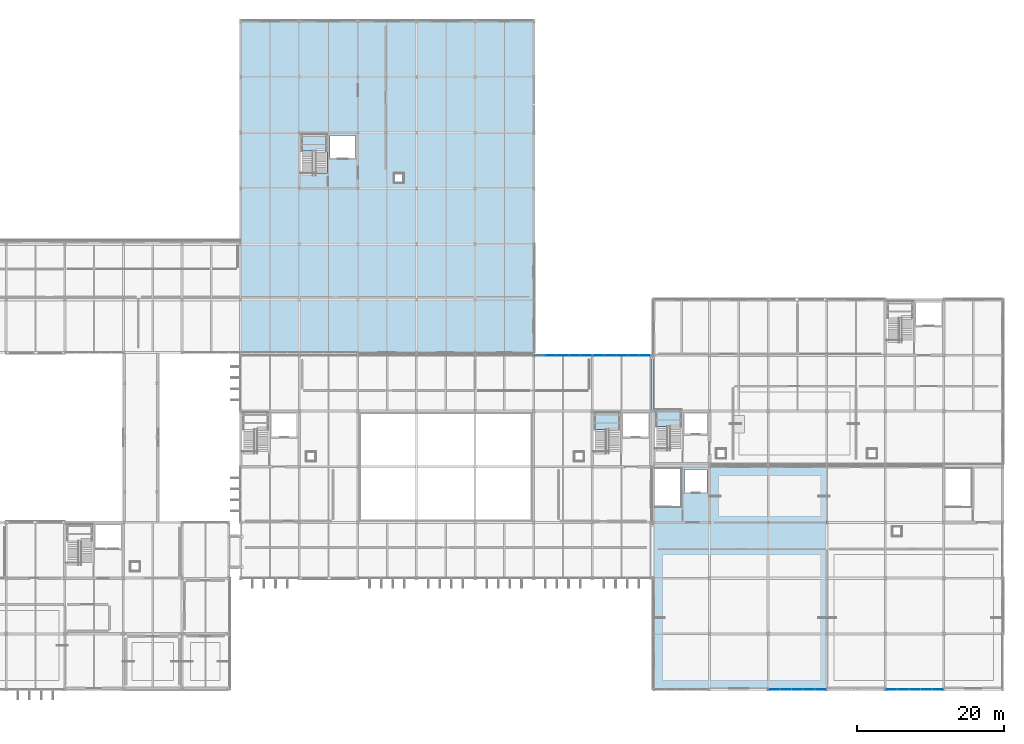
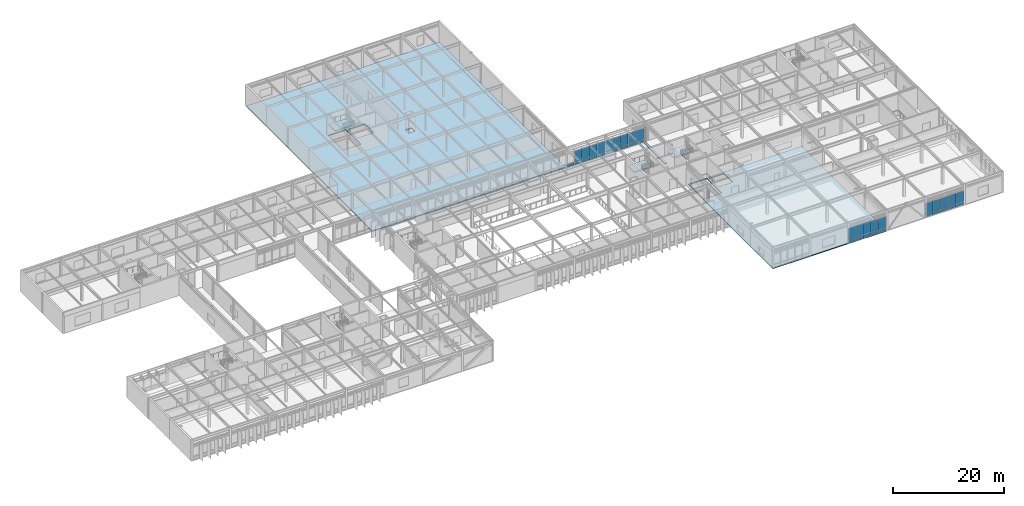
# One storey, part 73 of 104: 39 plates, 6 slabs, 7 elements without a shape of their own.
"""IFC4 building model written with IfcOpenShell, lengths in metres."""

from ifc_helpers import new_model, si_unit, direction, frame, origin, origin_2d, place, context, subcontext, project, spatial, polyline, rectangle, outline, extrude, material, layer, layer_set, type_object, element, aggregate, save


model = new_model("IFC4")

# Units and contexts
model_context = context("Model", 3, precision=1e-05, world=origin(), true_north=direction((0.0, 1.0)))
body_context = subcontext(model_context, "Body", "Model", "MODEL_VIEW")
ifc_project = project(units=[si_unit("LENGTHUNIT", "METRE"), si_unit("AREAUNIT", "SQUARE_METRE"), si_unit("VOLUMEUNIT", "CUBIC_METRE"), si_unit("PLANEANGLEUNIT", "RADIAN"), si_unit("MASSUNIT", "GRAM", prefix="KILO")], contexts=[model_context])

# Site, building, storey
site_placement = place(None, origin())
site = spatial("IfcSite", under=ifc_project, at=site_placement, CompositionType="ELEMENT")
building_placement = place(site_placement, origin())
building = spatial("IfcBuilding", under=site, at=building_placement, Name="Zulena Civic Courthouse", CompositionType="ELEMENT")
storey_placement = place(building_placement, frame((0.0, 0.0, 15.60009765625)))
storey = spatial("IfcBuildingStorey", under=building, at=storey_placement, Name="L03", CompositionType="ELEMENT", Elevation=15.60009765625)

# Slab
ifc_material_1 = material(Name="Concrete C35/45", Category="concrete")
ifc_layer_1 = layer(ifc_material_1, 0.195068359375)
ifc_layer_set_1 = layer_set([ifc_layer_1], Name="Concrete C35/45")
slab_type_1 = type_object("IfcSlabType", Name="BridgeSlab_195", PredefinedType="FLOOR", material=ifc_layer_set_1)
slab_1_placement = place(storey_placement, frame((0.0, 0.0, -0.195068359375)))
element("IfcSlab", 1, at=slab_1_placement, inside=storey, type_object=slab_type_1, Name="slab:bridge:BR-43:L03", PredefinedType="FLOOR", context=body_context, shape_type="SweptSolid", body=[
    extrude(outline(polyline([(124.0, 38.0), (124.39990234375, 38.0), (124.39990234375, 45.39990234375), (124.0, 45.39990234375), (124.0, 38.0)])), origin(), (0.0, 0.0, 1.0), 0.195068359375),
])

# Curtain wall, plates
ifc_material_2 = material(Name="Double-silver low-E laminated solar-control glass", Category="glass")
curtain_wall_type = type_object("IfcCurtainWallType", Name="CW_7928x3690", PredefinedType="USERDEFINED", material=ifc_material_2)
curtain_wall_1_placement = place(storey_placement, origin())
curtain_wall_1 = element("IfcCurtainWall", 2, at=curtain_wall_1_placement, inside=storey, type_object=curtain_wall_type, Name="cw:V1:L03:3:1", ObjectType="UNITISED CURTAIN WALL", PredefinedType="USERDEFINED")
ifc_material_3 = material(Name="Ceramic-fritted insulated spandrel glass", Category="glass")
ifc_layer_2 = layer(ifc_material_3, 0.0458984375)
ifc_layer_set_2 = layer_set([ifc_layer_2], Name="Ceramic-fritted insulated spandrel glass")
plate_type_1 = type_object("IfcPlateType", Name="CWPanel_Spandrel_46", PredefinedType="CURTAIN_PANEL", material=ifc_layer_set_2)
plate_1_placement = place(storey_placement, frame((163.171142578125, 0.0, 0.06982421875), z_axis=(0.0, 0.0, 1.0), x_axis=(-1.0, 0.0, 0.0)))
plate_1 = element("IfcPlate", 3, at=plate_1_placement, type_object=plate_type_1, Name="cw:V1:L03:3:1:panS:0", PredefinedType="CURTAIN_PANEL", context=body_context, shape_type="SweptSolid", body=[
    extrude(rectangle(XDim=1.535888671875, YDim=0.0458984375, at=origin_2d()), origin(), (0.0, 0.0, 1.0), 0.669921875),
])
plate_2_placement = place(storey_placement, frame((161.585693359375, 0.0, 0.06982421875), z_axis=(0.0, 0.0, 1.0), x_axis=(-1.0, 0.0, 0.0)))
plate_2 = element("IfcPlate", 4, at=plate_2_placement, type_object=plate_type_1, Name="cw:V1:L03:3:1:panS:1", PredefinedType="CURTAIN_PANEL", context=body_context, shape_type="SweptSolid", body=[
    extrude(rectangle(XDim=1.535888671875, YDim=0.0458984375, at=origin_2d()), origin(), (0.0, 0.0, 1.0), 0.669921875),
])
plate_3_placement = place(storey_placement, frame((160.0, 0.0, 0.06982421875), z_axis=(0.0, 0.0, 1.0), x_axis=(-1.0, 0.0, 0.0)))
plate_3 = element("IfcPlate", 5, at=plate_3_placement, type_object=plate_type_1, Name="cw:V1:L03:3:1:panS:2", PredefinedType="CURTAIN_PANEL", context=body_context, shape_type="SweptSolid", body=[
    extrude(rectangle(XDim=1.535888671875, YDim=0.0458984375, at=origin_2d()), origin(), (0.0, 0.0, 1.0), 0.669921875),
])
plate_4_placement = place(storey_placement, frame((158.414306640625, 0.0, 0.06982421875), z_axis=(0.0, 0.0, 1.0), x_axis=(-1.0, 0.0, 0.0)))
plate_4 = element("IfcPlate", 6, at=plate_4_placement, type_object=plate_type_1, Name="cw:V1:L03:3:1:panS:3", PredefinedType="CURTAIN_PANEL", context=body_context, shape_type="SweptSolid", body=[
    extrude(rectangle(XDim=1.535888671875, YDim=0.0458984375, at=origin_2d()), origin(), (0.0, 0.0, 1.0), 0.669921875),
])
plate_5_placement = place(storey_placement, frame((156.828857421875, 0.0, 0.06982421875), z_axis=(0.0, 0.0, 1.0), x_axis=(-1.0, 0.0, 0.0)))
plate_5 = element("IfcPlate", 7, at=plate_5_placement, type_object=plate_type_1, Name="cw:V1:L03:3:1:panS:4", PredefinedType="CURTAIN_PANEL", context=body_context, shape_type="SweptSolid", body=[
    extrude(rectangle(XDim=1.535888671875, YDim=0.0458984375, at=origin_2d()), origin(), (0.0, 0.0, 1.0), 0.669921875),
])

curtain_wall_2_placement = place(storey_placement, origin())
curtain_wall_2 = element("IfcCurtainWall", 8, at=curtain_wall_2_placement, inside=storey, type_object=curtain_wall_type, Name="cw:V1:L03:3:3", ObjectType="UNITISED CURTAIN WALL", PredefinedType="USERDEFINED")
plate_6_placement = place(storey_placement, frame((147.171142578125, 0.0, 0.06982421875), z_axis=(0.0, 0.0, 1.0), x_axis=(-1.0, 0.0, 0.0)))
plate_6 = element("IfcPlate", 9, at=plate_6_placement, type_object=plate_type_1, Name="cw:V1:L03:3:3:panS:0", PredefinedType="CURTAIN_PANEL", context=body_context, shape_type="SweptSolid", body=[
    extrude(rectangle(XDim=1.535888671875, YDim=0.0458984375, at=origin_2d()), origin(), (0.0, 0.0, 1.0), 0.669921875),
])
plate_7_placement = place(storey_placement, frame((145.585693359375, 0.0, 0.06982421875), z_axis=(0.0, 0.0, 1.0), x_axis=(-1.0, 0.0, 0.0)))
plate_7 = element("IfcPlate", 10, at=plate_7_placement, type_object=plate_type_1, Name="cw:V1:L03:3:3:panS:1", PredefinedType="CURTAIN_PANEL", context=body_context, shape_type="SweptSolid", body=[
    extrude(rectangle(XDim=1.535888671875, YDim=0.0458984375, at=origin_2d()), origin(), (0.0, 0.0, 1.0), 0.669921875),
])
plate_8_placement = place(storey_placement, frame((144.0, 0.0, 0.06982421875), z_axis=(0.0, 0.0, 1.0), x_axis=(-1.0, 0.0, 0.0)))
plate_8 = element("IfcPlate", 11, at=plate_8_placement, type_object=plate_type_1, Name="cw:V1:L03:3:3:panS:2", PredefinedType="CURTAIN_PANEL", context=body_context, shape_type="SweptSolid", body=[
    extrude(rectangle(XDim=1.535888671875, YDim=0.0458984375, at=origin_2d()), origin(), (0.0, 0.0, 1.0), 0.669921875),
])
plate_9_placement = place(storey_placement, frame((142.414306640625, 0.0, 0.06982421875), z_axis=(0.0, 0.0, 1.0), x_axis=(-1.0, 0.0, 0.0)))
plate_9 = element("IfcPlate", 12, at=plate_9_placement, type_object=plate_type_1, Name="cw:V1:L03:3:3:panS:3", PredefinedType="CURTAIN_PANEL", context=body_context, shape_type="SweptSolid", body=[
    extrude(rectangle(XDim=1.535888671875, YDim=0.0458984375, at=origin_2d()), origin(), (0.0, 0.0, 1.0), 0.669921875),
])
plate_10_placement = place(storey_placement, frame((140.828857421875, 0.0, 0.06982421875), z_axis=(0.0, 0.0, 1.0), x_axis=(-1.0, 0.0, 0.0)))
plate_10 = element("IfcPlate", 13, at=plate_10_placement, type_object=plate_type_1, Name="cw:V1:L03:3:3:panS:4", PredefinedType="CURTAIN_PANEL", context=body_context, shape_type="SweptSolid", body=[
    extrude(rectangle(XDim=1.535888671875, YDim=0.0458984375, at=origin_2d()), origin(), (0.0, 0.0, 1.0), 0.669921875),
])

curtain_wall_3_placement = place(storey_placement, origin())
curtain_wall_3 = element("IfcCurtainWall", 14, at=curtain_wall_3_placement, inside=storey, type_object=curtain_wall_type, Name="cw:V4:L03:1:5", ObjectType="UNITISED CURTAIN WALL", PredefinedType="USERDEFINED")
plate_11_placement = place(storey_placement, frame((108.828857421875, 45.60009765625, 0.06982421875), z_axis=(0.0, 0.0, 1.0), x_axis=(1.0, 0.0, 0.0)))
plate_11 = element("IfcPlate", 15, at=plate_11_placement, type_object=plate_type_1, Name="cw:V4:L03:1:5:panS:0", PredefinedType="CURTAIN_PANEL", context=body_context, shape_type="SweptSolid", body=[
    extrude(rectangle(XDim=1.535888671875, YDim=0.0458984375, at=origin_2d()), origin(), (0.0, 0.0, 1.0), 0.669921875),
])
plate_12_placement = place(storey_placement, frame((110.414306640625, 45.60009765625, 0.06982421875), z_axis=(0.0, 0.0, 1.0), x_axis=(1.0, 0.0, 0.0)))
plate_12 = element("IfcPlate", 16, at=plate_12_placement, type_object=plate_type_1, Name="cw:V4:L03:1:5:panS:1", PredefinedType="CURTAIN_PANEL", context=body_context, shape_type="SweptSolid", body=[
    extrude(rectangle(XDim=1.535888671875, YDim=0.0458984375, at=origin_2d()), origin(), (0.0, 0.0, 1.0), 0.669921875),
])
plate_13_placement = place(storey_placement, frame((112.0, 45.60009765625, 0.06982421875), z_axis=(0.0, 0.0, 1.0), x_axis=(1.0, 0.0, 0.0)))
plate_13 = element("IfcPlate", 17, at=plate_13_placement, type_object=plate_type_1, Name="cw:V4:L03:1:5:panS:2", PredefinedType="CURTAIN_PANEL", context=body_context, shape_type="SweptSolid", body=[
    extrude(rectangle(XDim=1.535888671875, YDim=0.0458984375, at=origin_2d()), origin(), (0.0, 0.0, 1.0), 0.669921875),
])
plate_14_placement = place(storey_placement, frame((113.585693359375, 45.60009765625, 0.06982421875), z_axis=(0.0, 0.0, 1.0), x_axis=(1.0, 0.0, 0.0)))
plate_14 = element("IfcPlate", 18, at=plate_14_placement, type_object=plate_type_1, Name="cw:V4:L03:1:5:panS:3", PredefinedType="CURTAIN_PANEL", context=body_context, shape_type="SweptSolid", body=[
    extrude(rectangle(XDim=1.535888671875, YDim=0.0458984375, at=origin_2d()), origin(), (0.0, 0.0, 1.0), 0.669921875),
])
plate_15_placement = place(storey_placement, frame((115.171142578125, 45.60009765625, 0.06982421875), z_axis=(0.0, 0.0, 1.0), x_axis=(1.0, 0.0, 0.0)))
plate_15 = element("IfcPlate", 19, at=plate_15_placement, type_object=plate_type_1, Name="cw:V4:L03:1:5:panS:4", PredefinedType="CURTAIN_PANEL", context=body_context, shape_type="SweptSolid", body=[
    extrude(rectangle(XDim=1.535888671875, YDim=0.0458984375, at=origin_2d()), origin(), (0.0, 0.0, 1.0), 0.669921875),
])

curtain_wall_4_placement = place(storey_placement, origin())
curtain_wall_4 = element("IfcCurtainWall", 20, at=curtain_wall_4_placement, inside=storey, type_object=curtain_wall_type, Name="cw:V4:L03:1:6", ObjectType="UNITISED CURTAIN WALL", PredefinedType="USERDEFINED")
plate_16_placement = place(storey_placement, frame((116.828857421875, 45.60009765625, 0.06982421875), z_axis=(0.0, 0.0, 1.0), x_axis=(1.0, 0.0, 0.0)))
plate_16 = element("IfcPlate", 21, at=plate_16_placement, type_object=plate_type_1, Name="cw:V4:L03:1:6:panS:0", PredefinedType="CURTAIN_PANEL", context=body_context, shape_type="SweptSolid", body=[
    extrude(rectangle(XDim=1.535888671875, YDim=0.0458984375, at=origin_2d()), origin(), (0.0, 0.0, 1.0), 0.669921875),
])
plate_17_placement = place(storey_placement, frame((118.414306640625, 45.60009765625, 0.06982421875), z_axis=(0.0, 0.0, 1.0), x_axis=(1.0, 0.0, 0.0)))
plate_17 = element("IfcPlate", 22, at=plate_17_placement, type_object=plate_type_1, Name="cw:V4:L03:1:6:panS:1", PredefinedType="CURTAIN_PANEL", context=body_context, shape_type="SweptSolid", body=[
    extrude(rectangle(XDim=1.535888671875, YDim=0.0458984375, at=origin_2d()), origin(), (0.0, 0.0, 1.0), 0.669921875),
])
plate_18_placement = place(storey_placement, frame((120.0, 45.60009765625, 0.06982421875), z_axis=(0.0, 0.0, 1.0), x_axis=(1.0, 0.0, 0.0)))
plate_18 = element("IfcPlate", 23, at=plate_18_placement, type_object=plate_type_1, Name="cw:V4:L03:1:6:panS:2", PredefinedType="CURTAIN_PANEL", context=body_context, shape_type="SweptSolid", body=[
    extrude(rectangle(XDim=1.535888671875, YDim=0.0458984375, at=origin_2d()), origin(), (0.0, 0.0, 1.0), 0.669921875),
])
plate_19_placement = place(storey_placement, frame((121.585693359375, 45.60009765625, 0.06982421875), z_axis=(0.0, 0.0, 1.0), x_axis=(1.0, 0.0, 0.0)))
plate_19 = element("IfcPlate", 24, at=plate_19_placement, type_object=plate_type_1, Name="cw:V4:L03:1:6:panS:3", PredefinedType="CURTAIN_PANEL", context=body_context, shape_type="SweptSolid", body=[
    extrude(rectangle(XDim=1.535888671875, YDim=0.0458984375, at=origin_2d()), origin(), (0.0, 0.0, 1.0), 0.669921875),
])
plate_20_placement = place(storey_placement, frame((123.171142578125, 45.60009765625, 0.06982421875), z_axis=(0.0, 0.0, 1.0), x_axis=(1.0, 0.0, 0.0)))
plate_20 = element("IfcPlate", 25, at=plate_20_placement, type_object=plate_type_1, Name="cw:V4:L03:1:6:panS:4", PredefinedType="CURTAIN_PANEL", context=body_context, shape_type="SweptSolid", body=[
    extrude(rectangle(XDim=1.535888671875, YDim=0.0458984375, at=origin_2d()), origin(), (0.0, 0.0, 1.0), 0.669921875),
])

# Plate
ifc_layer_3 = layer(ifc_material_2, 0.035888671875)
ifc_layer_set_3 = layer_set([ifc_layer_3], Name="Double-silver low-E laminated solar-control glass")
plate_type_2 = type_object("IfcPlateType", Name="CWPanel_Vision_36", PredefinedType="CURTAIN_PANEL", material=ifc_layer_set_3)
plate_21_placement = place(storey_placement, frame((163.171142578125, 0.0, 0.759765625), z_axis=(0.0, 0.0, 1.0), x_axis=(-1.0, 0.0, 0.0)))
plate_21 = element("IfcPlate", 26, at=plate_21_placement, type_object=plate_type_2, Name="cw:V1:L03:3:1:panV:0", PredefinedType="CURTAIN_PANEL", context=body_context, shape_type="SweptSolid", body=[
    extrude(rectangle(XDim=1.535888671875, YDim=0.035888671875, at=origin_2d()), origin(), (0.0, 0.0, 1.0), 2.3701171875),
])

plate_22_placement = place(storey_placement, frame((161.585693359375, 0.0, 0.759765625), z_axis=(0.0, 0.0, 1.0), x_axis=(-1.0, 0.0, 0.0)))
plate_22 = element("IfcPlate", 27, at=plate_22_placement, type_object=plate_type_2, Name="cw:V1:L03:3:1:panV:1", PredefinedType="CURTAIN_PANEL", context=body_context, shape_type="SweptSolid", body=[
    extrude(rectangle(XDim=1.535888671875, YDim=0.035888671875, at=origin_2d()), origin(), (0.0, 0.0, 1.0), 2.3701171875),
])

plate_23_placement = place(storey_placement, frame((160.0, 0.0, 0.759765625), z_axis=(0.0, 0.0, 1.0), x_axis=(-1.0, 0.0, 0.0)))
plate_23 = element("IfcPlate", 28, at=plate_23_placement, type_object=plate_type_2, Name="cw:V1:L03:3:1:panV:2", PredefinedType="CURTAIN_PANEL", context=body_context, shape_type="SweptSolid", body=[
    extrude(rectangle(XDim=1.535888671875, YDim=0.035888671875, at=origin_2d()), origin(), (0.0, 0.0, 1.0), 2.3701171875),
])

plate_24_placement = place(storey_placement, frame((158.414306640625, 0.0, 0.759765625), z_axis=(0.0, 0.0, 1.0), x_axis=(-1.0, 0.0, 0.0)))
plate_24 = element("IfcPlate", 29, at=plate_24_placement, type_object=plate_type_2, Name="cw:V1:L03:3:1:panV:3", PredefinedType="CURTAIN_PANEL", context=body_context, shape_type="SweptSolid", body=[
    extrude(rectangle(XDim=1.535888671875, YDim=0.035888671875, at=origin_2d()), origin(), (0.0, 0.0, 1.0), 2.3701171875),
])

plate_25_placement = place(storey_placement, frame((156.828857421875, 0.0, 0.759765625), z_axis=(0.0, 0.0, 1.0), x_axis=(-1.0, 0.0, 0.0)))
plate_25 = element("IfcPlate", 30, at=plate_25_placement, type_object=plate_type_2, Name="cw:V1:L03:3:1:panV:4", PredefinedType="CURTAIN_PANEL", context=body_context, shape_type="SweptSolid", body=[
    extrude(rectangle(XDim=1.535888671875, YDim=0.035888671875, at=origin_2d()), origin(), (0.0, 0.0, 1.0), 2.3701171875),
])

aggregate(curtain_wall_1, [plate_21, plate_1, plate_22, plate_2, plate_23, plate_3, plate_24, plate_4, plate_25, plate_5])

plate_26_placement = place(storey_placement, frame((147.171142578125, 0.0, 0.759765625), z_axis=(0.0, 0.0, 1.0), x_axis=(-1.0, 0.0, 0.0)))
plate_26 = element("IfcPlate", 31, at=plate_26_placement, type_object=plate_type_2, Name="cw:V1:L03:3:3:panV:0", PredefinedType="CURTAIN_PANEL", context=body_context, shape_type="SweptSolid", body=[
    extrude(rectangle(XDim=1.535888671875, YDim=0.035888671875, at=origin_2d()), origin(), (0.0, 0.0, 1.0), 2.3701171875),
])

plate_27_placement = place(storey_placement, frame((145.585693359375, 0.0, 0.759765625), z_axis=(0.0, 0.0, 1.0), x_axis=(-1.0, 0.0, 0.0)))
plate_27 = element("IfcPlate", 32, at=plate_27_placement, type_object=plate_type_2, Name="cw:V1:L03:3:3:panV:1", PredefinedType="CURTAIN_PANEL", context=body_context, shape_type="SweptSolid", body=[
    extrude(rectangle(XDim=1.535888671875, YDim=0.035888671875, at=origin_2d()), origin(), (0.0, 0.0, 1.0), 2.3701171875),
])

plate_28_placement = place(storey_placement, frame((144.0, 0.0, 0.759765625), z_axis=(0.0, 0.0, 1.0), x_axis=(-1.0, 0.0, 0.0)))
plate_28 = element("IfcPlate", 33, at=plate_28_placement, type_object=plate_type_2, Name="cw:V1:L03:3:3:panV:2", PredefinedType="CURTAIN_PANEL", context=body_context, shape_type="SweptSolid", body=[
    extrude(rectangle(XDim=1.535888671875, YDim=0.035888671875, at=origin_2d()), origin(), (0.0, 0.0, 1.0), 2.3701171875),
])

plate_29_placement = place(storey_placement, frame((142.414306640625, 0.0, 0.759765625), z_axis=(0.0, 0.0, 1.0), x_axis=(-1.0, 0.0, 0.0)))
plate_29 = element("IfcPlate", 34, at=plate_29_placement, type_object=plate_type_2, Name="cw:V1:L03:3:3:panV:3", PredefinedType="CURTAIN_PANEL", context=body_context, shape_type="SweptSolid", body=[
    extrude(rectangle(XDim=1.535888671875, YDim=0.035888671875, at=origin_2d()), origin(), (0.0, 0.0, 1.0), 2.3701171875),
])

plate_30_placement = place(storey_placement, frame((140.828857421875, 0.0, 0.759765625), z_axis=(0.0, 0.0, 1.0), x_axis=(-1.0, 0.0, 0.0)))
plate_30 = element("IfcPlate", 35, at=plate_30_placement, type_object=plate_type_2, Name="cw:V1:L03:3:3:panV:4", PredefinedType="CURTAIN_PANEL", context=body_context, shape_type="SweptSolid", body=[
    extrude(rectangle(XDim=1.535888671875, YDim=0.035888671875, at=origin_2d()), origin(), (0.0, 0.0, 1.0), 2.3701171875),
])

aggregate(curtain_wall_2, [plate_26, plate_6, plate_27, plate_7, plate_28, plate_8, plate_29, plate_9, plate_30, plate_10])

plate_31_placement = place(storey_placement, frame((110.414306640625, 45.60009765625, 0.759765625), z_axis=(0.0, 0.0, 1.0), x_axis=(1.0, 0.0, 0.0)))
plate_31 = element("IfcPlate", 36, at=plate_31_placement, type_object=plate_type_2, Name="cw:V4:L03:1:5:panV:1", PredefinedType="CURTAIN_PANEL", context=body_context, shape_type="SweptSolid", body=[
    extrude(rectangle(XDim=1.535888671875, YDim=0.035888671875, at=origin_2d()), origin(), (0.0, 0.0, 1.0), 2.3701171875),
])

plate_32_placement = place(storey_placement, frame((112.0, 45.60009765625, 0.759765625), z_axis=(0.0, 0.0, 1.0), x_axis=(1.0, 0.0, 0.0)))
plate_32 = element("IfcPlate", 37, at=plate_32_placement, type_object=plate_type_2, Name="cw:V4:L03:1:5:panV:2", PredefinedType="CURTAIN_PANEL", context=body_context, shape_type="SweptSolid", body=[
    extrude(rectangle(XDim=1.535888671875, YDim=0.035888671875, at=origin_2d()), origin(), (0.0, 0.0, 1.0), 2.3701171875),
])

plate_33_placement = place(storey_placement, frame((113.585693359375, 45.60009765625, 0.759765625), z_axis=(0.0, 0.0, 1.0), x_axis=(1.0, 0.0, 0.0)))
plate_33 = element("IfcPlate", 38, at=plate_33_placement, type_object=plate_type_2, Name="cw:V4:L03:1:5:panV:3", PredefinedType="CURTAIN_PANEL", context=body_context, shape_type="SweptSolid", body=[
    extrude(rectangle(XDim=1.535888671875, YDim=0.035888671875, at=origin_2d()), origin(), (0.0, 0.0, 1.0), 2.3701171875),
])

plate_34_placement = place(storey_placement, frame((115.171142578125, 45.60009765625, 0.759765625), z_axis=(0.0, 0.0, 1.0), x_axis=(1.0, 0.0, 0.0)))
plate_34 = element("IfcPlate", 39, at=plate_34_placement, type_object=plate_type_2, Name="cw:V4:L03:1:5:panV:4", PredefinedType="CURTAIN_PANEL", context=body_context, shape_type="SweptSolid", body=[
    extrude(rectangle(XDim=1.535888671875, YDim=0.035888671875, at=origin_2d()), origin(), (0.0, 0.0, 1.0), 2.3701171875),
])

aggregate(curtain_wall_3, [plate_11, plate_31, plate_12, plate_32, plate_13, plate_33, plate_14, plate_34, plate_15])

plate_35_placement = place(storey_placement, frame((116.828857421875, 45.60009765625, 0.759765625), z_axis=(0.0, 0.0, 1.0), x_axis=(1.0, 0.0, 0.0)))
plate_35 = element("IfcPlate", 40, at=plate_35_placement, type_object=plate_type_2, Name="cw:V4:L03:1:6:panV:0", PredefinedType="CURTAIN_PANEL", context=body_context, shape_type="SweptSolid", body=[
    extrude(rectangle(XDim=1.535888671875, YDim=0.035888671875, at=origin_2d()), origin(), (0.0, 0.0, 1.0), 2.3701171875),
])

plate_36_placement = place(storey_placement, frame((118.414306640625, 45.60009765625, 0.759765625), z_axis=(0.0, 0.0, 1.0), x_axis=(1.0, 0.0, 0.0)))
plate_36 = element("IfcPlate", 41, at=plate_36_placement, type_object=plate_type_2, Name="cw:V4:L03:1:6:panV:1", PredefinedType="CURTAIN_PANEL", context=body_context, shape_type="SweptSolid", body=[
    extrude(rectangle(XDim=1.535888671875, YDim=0.035888671875, at=origin_2d()), origin(), (0.0, 0.0, 1.0), 2.3701171875),
])

plate_37_placement = place(storey_placement, frame((120.0, 45.60009765625, 0.759765625), z_axis=(0.0, 0.0, 1.0), x_axis=(1.0, 0.0, 0.0)))
plate_37 = element("IfcPlate", 42, at=plate_37_placement, type_object=plate_type_2, Name="cw:V4:L03:1:6:panV:2", PredefinedType="CURTAIN_PANEL", context=body_context, shape_type="SweptSolid", body=[
    extrude(rectangle(XDim=1.535888671875, YDim=0.035888671875, at=origin_2d()), origin(), (0.0, 0.0, 1.0), 2.3701171875),
])

plate_38_placement = place(storey_placement, frame((121.585693359375, 45.60009765625, 0.759765625), z_axis=(0.0, 0.0, 1.0), x_axis=(1.0, 0.0, 0.0)))
plate_38 = element("IfcPlate", 43, at=plate_38_placement, type_object=plate_type_2, Name="cw:V4:L03:1:6:panV:3", PredefinedType="CURTAIN_PANEL", context=body_context, shape_type="SweptSolid", body=[
    extrude(rectangle(XDim=1.535888671875, YDim=0.035888671875, at=origin_2d()), origin(), (0.0, 0.0, 1.0), 2.3701171875),
])

plate_39_placement = place(storey_placement, frame((123.171142578125, 45.60009765625, 0.759765625), z_axis=(0.0, 0.0, 1.0), x_axis=(1.0, 0.0, 0.0)))
plate_39 = element("IfcPlate", 44, at=plate_39_placement, type_object=plate_type_2, Name="cw:V4:L03:1:6:panV:4", PredefinedType="CURTAIN_PANEL", context=body_context, shape_type="SweptSolid", body=[
    extrude(rectangle(XDim=1.535888671875, YDim=0.035888671875, at=origin_2d()), origin(), (0.0, 0.0, 1.0), 2.3701171875),
])

aggregate(curtain_wall_4, [plate_35, plate_16, plate_36, plate_17, plate_37, plate_18, plate_38, plate_19, plate_39, plate_20])

# Slabs
ifc_layer_4 = layer(ifc_material_1, 0.2099609375)
ifc_layer_set_4 = layer_set([ifc_layer_4], Name="Concrete C35/45")
slab_type_2 = type_object("IfcSlabType", Name="FloorSlab_210", PredefinedType="FLOOR", material=ifc_layer_set_4)
slab_2_placement = place(storey_placement, frame((0.0, 0.0, -0.210205078125)))
element("IfcSlab", 45, at=slab_2_placement, inside=storey, type_object=slab_type_2, Name="slab:V1:L03_1", PredefinedType="FLOOR", context=body_context, shape_type="SweptSolid", body=[
    extrude(outline(polyline([(124.39990234375, 30.39990234375), (148.0, 30.39990234375), (148.0, 0.0), (124.39990234375, 0.0), (124.39990234375, 30.39990234375)]), holes=[polyline([(128.2099609375, 24.919921875), (128.2099609375, 30.2099609375), (124.590087890625, 30.2099609375), (124.590087890625, 24.919921875), (128.2099609375, 24.919921875)]), polyline([(128.60009765625, 26.89990234375), (131.64990234375, 26.89990234375), (131.64990234375, 30.050048828125), (128.60009765625, 30.050048828125), (128.60009765625, 26.89990234375)])]), origin(), (0.0, 0.0, 1.0), 0.210205078125),
])
slab_3_placement = place(storey_placement, frame((0.0, 0.0, -0.210205078125)))
element("IfcSlab", 46, at=slab_3_placement, inside=storey, type_object=slab_type_2, Name="slab:V5:L03_2", PredefinedType="FLOOR", context=body_context, shape_type="SweptSolid", body=[
    extrude(outline(polyline([(68.0, 91.199951171875), (108.0, 91.199951171875), (108.0, 46.0), (68.0, 46.0), (68.0, 61.199951171875), (68.0, 91.199951171875)]), holes=[polyline([(79.81005859375, 70.52001953125), (79.81005859375, 75.81005859375), (76.18994140625, 75.81005859375), (76.18994140625, 70.52001953125), (79.81005859375, 70.52001953125)]), polyline([(80.199951171875, 72.5), (83.64990234375, 72.5), (83.64990234375, 75.64990234375), (80.199951171875, 75.64990234375), (80.199951171875, 72.5)]), polyline([(90.199951171875, 70.39990234375), (89.0, 70.39990234375), (89.0, 69.199951171875), (90.199951171875, 69.199951171875), (90.199951171875, 70.39990234375)])]), origin(), (0.0, 0.0, 1.0), 0.210205078125),
])

# Stair, slab
ifc_material_4 = material(Name="Precast concrete C40/50", Category="concrete")
stair_type = type_object("IfcStairType", Name="HalfTurnStair_4800", PredefinedType="HALF_TURN_STAIR", material=ifc_material_4)
stair_1_placement = place(storey_placement, origin())
stair_1 = element("IfcStair", 47, at=stair_1_placement, inside=storey, type_object=stair_type, Name="stair:K3A:L03", PredefinedType="HALF_TURN_STAIR")
ifc_layer_5 = layer(ifc_material_4, 0.280029296875)
ifc_layer_set_5 = layer_set([ifc_layer_5], Name="Precast concrete C40/50")
slab_type_3 = type_object("IfcSlabType", Name="StairLandingSlab_280", PredefinedType="LANDING", material=ifc_layer_set_5)
slab_4_placement = place(storey_placement, frame((0.0, 0.0, 2.119873046875)))
slab_4 = element("IfcSlab", 48, at=slab_4_placement, type_object=slab_type_3, Name="stair:K3A:L03:LND", PredefinedType="LANDING", context=body_context, shape_type="SweptSolid", body=[
    extrude(outline(polyline([(124.580078125, 35.89453125), (128.219970703125, 35.89453125), (128.219970703125, 38.219970703125), (124.580078125, 38.219970703125), (124.580078125, 35.89453125)])), origin(), (0.0, 0.0, 1.0), 0.280029296875),
])
aggregate(stair_1, [slab_4])

stair_2_placement = place(storey_placement, origin())
stair_2 = element("IfcStair", 49, at=stair_2_placement, inside=storey, type_object=stair_type, Name="stair:K4B:L03", PredefinedType="HALF_TURN_STAIR")
slab_5_placement = place(storey_placement, frame((0.0, 0.0, 2.119873046875)))
slab_5 = element("IfcSlab", 50, at=slab_5_placement, type_object=slab_type_3, Name="stair:K4B:L03:LND", PredefinedType="LANDING", context=body_context, shape_type="SweptSolid", body=[
    extrude(outline(polyline([(116.179931640625, 35.49462890625), (119.820068359375, 35.49462890625), (119.820068359375, 37.820068359375), (116.179931640625, 37.820068359375), (116.179931640625, 35.49462890625)])), origin(), (0.0, 0.0, 1.0), 0.280029296875),
])
aggregate(stair_2, [slab_5])

stair_3_placement = place(storey_placement, origin())
stair_3 = element("IfcStair", 51, at=stair_3_placement, inside=storey, type_object=stair_type, Name="stair:K5B:L03", PredefinedType="HALF_TURN_STAIR")
slab_6_placement = place(storey_placement, frame((0.0, 0.0, 2.119873046875)))
slab_6 = element("IfcSlab", 52, at=slab_6_placement, type_object=slab_type_3, Name="stair:K5B:L03:LND", PredefinedType="LANDING", context=body_context, shape_type="SweptSolid", body=[
    extrude(outline(polyline([(76.179931640625, 73.49462890625), (79.820068359375, 73.49462890625), (79.820068359375, 75.820068359375), (76.179931640625, 75.820068359375), (76.179931640625, 73.49462890625)])), origin(), (0.0, 0.0, 1.0), 0.280029296875),
])
aggregate(stair_3, [slab_6])

save(model, "model.ifc")
